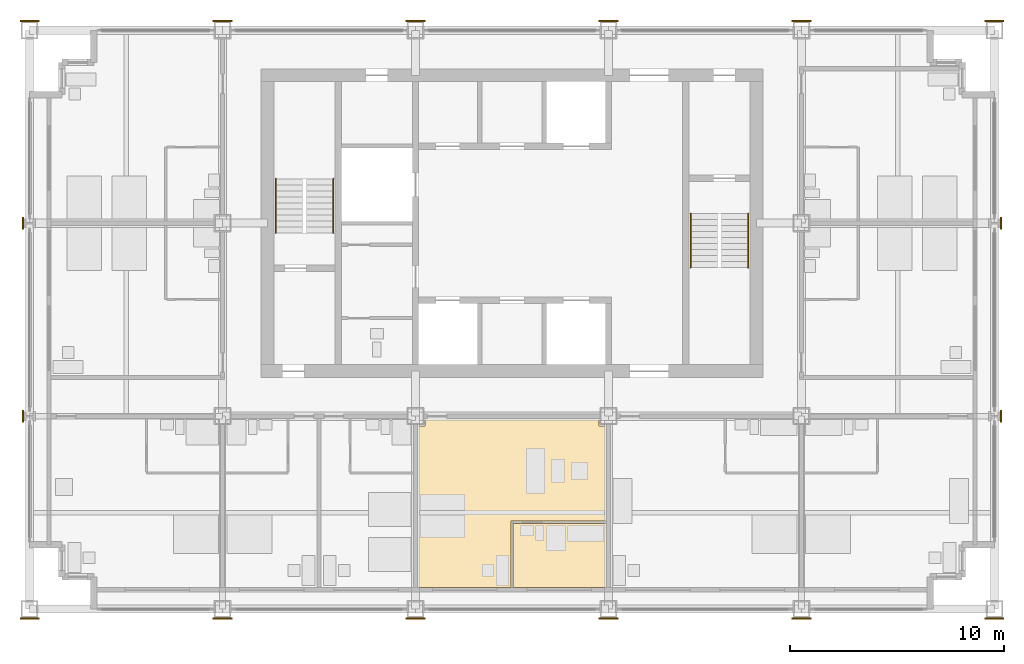
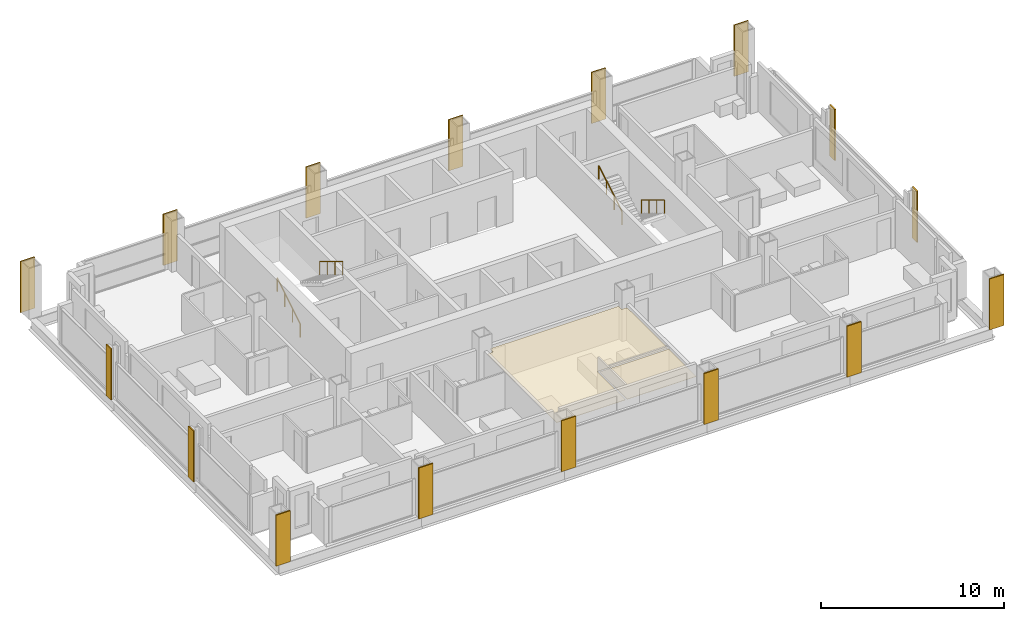
# One storey, part 11 of 13: 18 coverings, 4 railings.
"""IFC4 building model written with IfcOpenShell, lengths in metres."""

from ifc_helpers import new_model, si_unit, direction, frame, origin, origin_2d, place, context, subcontext, project, spatial, polyline, rectangle, circle, outline, extrude, material, layer, layer_set, type_object, element, save


model = new_model("IFC4")

# Units and contexts
model_context = context("Model", 3, precision=1e-05, world=origin(), true_north=direction((0.0, 1.0)))
body_context = subcontext(model_context, "Body", "Model", "MODEL_VIEW")
ifc_project = project(units=[si_unit("LENGTHUNIT", "METRE"), si_unit("AREAUNIT", "SQUARE_METRE"), si_unit("VOLUMEUNIT", "CUBIC_METRE"), si_unit("PLANEANGLEUNIT", "RADIAN"), si_unit("MASSUNIT", "GRAM", prefix="KILO")], contexts=[model_context])

# Site, building, storey
site_placement = place(None, origin())
site = spatial("IfcSite", under=ifc_project, at=site_placement, CompositionType="ELEMENT")
building_placement = place(site_placement, origin())
building = spatial("IfcBuilding", under=site, at=building_placement, Name="Loomwork Tower", CompositionType="ELEMENT")
storey_placement = place(building_placement, frame((0.0, 0.0, 191.0)))
storey = spatial("IfcBuildingStorey", under=building, at=storey_placement, Name="L52", CompositionType="ELEMENT", Elevation=191.0)

# Railings
ifc_material_1 = material(Name="Stainless steel handrail", Category="steel")
railing_type = type_object("IfcRailingType", Name="Handrail 900", PredefinedType="HANDRAIL", material=ifc_material_1)
railing_1_placement = place(storey_placement, frame((11.485107421875, 17.550048828125, 0.169921875)))
element("IfcRailing", 1, at=railing_1_placement, inside=storey, type_object=railing_type, Name="Stair A handrail flight 1 L52", PredefinedType="HANDRAIL", context=body_context, shape_type="SweptSolid", body=[
    extrude(circle(Radius=0.02392578125, at=origin_2d()), frame((0.0, 0.0, 0.8759765625), z_axis=(0.0, 0.85478489116, 0.518982456201), x_axis=(-1.0, 0.0, 0.0)), (0.0, 0.0, 1.0), 2.9482421875),
    extrude(circle(Radius=0.02099609375, at=origin_2d()), origin(), (0.0, 0.0, 1.0), 0.851806640625),
    extrude(circle(Radius=0.02099609375, at=origin_2d()), frame((0.0, 0.840087890625, 0.510009765625)), (0.0, 0.0, 1.0), 0.851806640625),
    extrude(circle(Radius=0.02099609375, at=origin_2d()), frame((0.0, 1.679931640625, 1.02001953125)), (0.0, 0.0, 1.0), 0.851806640625),
    extrude(circle(Radius=0.02099609375, at=origin_2d()), frame((0.0, 2.52001953125, 1.530029296875)), (0.0, 0.0, 1.0), 0.851806640625),
])
railing_2_placement = place(storey_placement, frame((14.1650390625, 20.070068359375, 1.8701171875)))
element("IfcRailing", 2, at=railing_2_placement, inside=storey, type_object=railing_type, Name="Stair A handrail flight 2 L52", PredefinedType="HANDRAIL", context=body_context, shape_type="SweptSolid", body=[
    extrude(circle(Radius=0.02392578125, at=origin_2d()), frame((0.0, 0.0, 0.8759765625), z_axis=(0.0, -0.854821627497, 0.518921945155), x_axis=(1.0, 0.0, 0.0)), (0.0, 0.0, 1.0), 2.947998046875),
    extrude(circle(Radius=0.02099609375, at=origin_2d()), origin(), (0.0, 0.0, 1.0), 0.851806640625),
    extrude(circle(Radius=0.02099609375, at=origin_2d()), frame((0.0, -0.840087890625, 0.510009765625)), (0.0, 0.0, 1.0), 0.851806640625),
    extrude(circle(Radius=0.02099609375, at=origin_2d()), frame((0.0, -1.679931640625, 1.019775390625)), (0.0, 0.0, 1.0), 0.851806640625),
    extrude(circle(Radius=0.02099609375, at=origin_2d()), frame((0.0, -2.52001953125, 1.52978515625)), (0.0, 0.0, 1.0), 0.851806640625),
])
railing_3_placement = place(storey_placement, frame((33.514892578125, 18.449951171875, 0.169921875)))
element("IfcRailing", 3, at=railing_3_placement, inside=storey, type_object=railing_type, Name="Stair B handrail flight 1 L52", PredefinedType="HANDRAIL", context=body_context, shape_type="SweptSolid", body=[
    extrude(circle(Radius=0.02392578125, at=origin_2d()), frame((0.0, 0.0, 0.8759765625), z_axis=(0.0, -0.85478489116, 0.518982456201), x_axis=(1.0, 0.0, 0.0)), (0.0, 0.0, 1.0), 2.9482421875),
    extrude(circle(Radius=0.02099609375, at=origin_2d()), origin(), (0.0, 0.0, 1.0), 0.851806640625),
    extrude(circle(Radius=0.02099609375, at=origin_2d()), frame((0.0, -0.840087890625, 0.510009765625)), (0.0, 0.0, 1.0), 0.851806640625),
    extrude(circle(Radius=0.02099609375, at=origin_2d()), frame((0.0, -1.679931640625, 1.02001953125)), (0.0, 0.0, 1.0), 0.851806640625),
    extrude(circle(Radius=0.02099609375, at=origin_2d()), frame((0.0, -2.52001953125, 1.530029296875)), (0.0, 0.0, 1.0), 0.851806640625),
])
railing_4_placement = place(storey_placement, frame((30.8349609375, 15.929931640625, 1.8701171875)))
element("IfcRailing", 4, at=railing_4_placement, inside=storey, type_object=railing_type, Name="Stair B handrail flight 2 L52", PredefinedType="HANDRAIL", context=body_context, shape_type="SweptSolid", body=[
    extrude(circle(Radius=0.02392578125, at=origin_2d()), frame((0.0, 0.0, 0.8759765625), z_axis=(0.0, 0.854821627497, 0.518921945155), x_axis=(-1.0, 0.0, 0.0)), (0.0, 0.0, 1.0), 2.947998046875),
    extrude(circle(Radius=0.02099609375, at=origin_2d()), origin(), (0.0, 0.0, 1.0), 0.851806640625),
    extrude(circle(Radius=0.02099609375, at=origin_2d()), frame((0.0, 0.840087890625, 0.510009765625)), (0.0, 0.0, 1.0), 0.851806640625),
    extrude(circle(Radius=0.02099609375, at=origin_2d()), frame((0.0, 1.679931640625, 1.019775390625)), (0.0, 0.0, 1.0), 0.851806640625),
    extrude(circle(Radius=0.02099609375, at=origin_2d()), frame((0.0, 2.52001953125, 1.52978515625)), (0.0, 0.0, 1.0), 0.851806640625),
])

# Coverings
ifc_material_2 = material(Name="Limestone", Category="masonry")
ifc_layer_1 = layer(ifc_material_2, 0.080078125)
ifc_layer_set_1 = layer_set([ifc_layer_1], Name="Limestone pier facing 80")
covering_type_1 = type_object("IfcCoveringType", Name="Limestone pier facing 80", PredefinedType="CLADDING", material=ifc_layer_set_1)
covering_1_placement = place(storey_placement, frame((0.0, -0.43994140625, 0.0), z_axis=(0.0, 0.0, 1.0), x_axis=(1.0, 0.0, 0.0)))
element("IfcCovering", 5, at=covering_1_placement, inside=storey, type_object=covering_type_1, Name="Pier facing D/2 L52", PredefinedType="CLADDING", context=body_context, shape_type="SweptSolid", body=[
    extrude(rectangle(XDim=0.89990234375, YDim=0.080078125, at=origin_2d()), origin(), (0.0, 0.0, 1.0), 3.39990234375),
])
for number, where, z_axis, x_axis, name in (
    (6, (-0.314208984375, 9.0, 0.0), (0.0, 0.0, 1.0), (1.0, 0.0, 0.0), "Pier facing E/2 L52"),
    (7, (-0.314208984375, 18.0, 0.0), (0.0, 0.0, 1.0), (1.0, 0.0, 0.0), "Pier facing F/2 L52"),
):
    element("IfcCovering", number, at=place(storey_placement, frame(where, z_axis=z_axis, x_axis=x_axis)), inside=storey, type_object=covering_type_1, Name=name, PredefinedType="CLADDING", context=body_context, shape_type="SweptSolid", body=[
        extrude(rectangle(XDim=0.080078125, YDim=0.549560546875, at=origin_2d()), origin(), (0.0, 0.0, 1.0), 3.39990234375),
    ])
for number, where, z_axis, x_axis, name in (
    (8, (0.0, 27.43994140625, 0.0), (0.0, 0.0, 1.0), (1.0, 0.0, 0.0), "Pier facing G/2 L52"),
    (9, (9.0, -0.43994140625, 0.0), (0.0, 0.0, 1.0), (1.0, 0.0, 0.0), "Pier facing D/3 L52"),
    (10, (9.0, 27.43994140625, 0.0), (0.0, 0.0, 1.0), (1.0, 0.0, 0.0), "Pier facing G/3 L52"),
    (11, (18.0, -0.43994140625, 0.0), (0.0, 0.0, 1.0), (1.0, 0.0, 0.0), "Pier facing D/4 L52"),
    (12, (18.0, 27.43994140625, 0.0), (0.0, 0.0, 1.0), (1.0, 0.0, 0.0), "Pier facing G/4 L52"),
    (13, (27.0, -0.43994140625, 0.0), (0.0, 0.0, 1.0), (1.0, 0.0, 0.0), "Pier facing D/5 L52"),
    (14, (27.0, 27.43994140625, 0.0), (0.0, 0.0, 1.0), (1.0, 0.0, 0.0), "Pier facing G/5 L52"),
    (15, (36.0, -0.43994140625, 0.0), (0.0, 0.0, 1.0), (1.0, 0.0, 0.0), "Pier facing D/6 L52"),
    (16, (36.0, 27.43994140625, 0.0), (0.0, 0.0, 1.0), (1.0, 0.0, 0.0), "Pier facing G/6 L52"),
    (17, (45.0, -0.43994140625, 0.0), (0.0, 0.0, 1.0), (1.0, 0.0, 0.0), "Pier facing D/7 L52"),
):
    element("IfcCovering", number, at=place(storey_placement, frame(where, z_axis=z_axis, x_axis=x_axis)), inside=storey, type_object=covering_type_1, Name=name, PredefinedType="CLADDING", context=body_context, shape_type="SweptSolid", body=[
        extrude(rectangle(XDim=0.89990234375, YDim=0.080078125, at=origin_2d()), origin(), (0.0, 0.0, 1.0), 3.39990234375),
    ])
for number, where, z_axis, x_axis, name in (
    (18, (45.314208984375, 9.0, 0.0), (0.0, 0.0, 1.0), (1.0, 0.0, 0.0), "Pier facing E/7 L52"),
    (19, (45.314208984375, 18.0, 0.0), (0.0, 0.0, 1.0), (1.0, 0.0, 0.0), "Pier facing F/7 L52"),
):
    element("IfcCovering", number, at=place(storey_placement, frame(where, z_axis=z_axis, x_axis=x_axis)), inside=storey, type_object=covering_type_1, Name=name, PredefinedType="CLADDING", context=body_context, shape_type="SweptSolid", body=[
        extrude(rectangle(XDim=0.080078125, YDim=0.549560546875, at=origin_2d()), origin(), (0.0, 0.0, 1.0), 3.39990234375),
    ])
covering_2_placement = place(storey_placement, frame((45.0, 27.43994140625, 0.0), z_axis=(0.0, 0.0, 1.0), x_axis=(1.0, 0.0, 0.0)))
element("IfcCovering", 20, at=covering_2_placement, inside=storey, type_object=covering_type_1, Name="Pier facing G/7 L52", PredefinedType="CLADDING", context=body_context, shape_type="SweptSolid", body=[
    extrude(rectangle(XDim=0.89990234375, YDim=0.080078125, at=origin_2d()), origin(), (0.0, 0.0, 1.0), 3.39990234375),
])
ifc_material_3 = material(Name="Mineral fibre acoustic tile on suspension grid")
ifc_layer_2 = layer(ifc_material_3, 0.02490234375)
ifc_layer_set_2 = layer_set([ifc_layer_2], Name="Suspended acoustic ceiling")
covering_type_2 = type_object("IfcCoveringType", Name="Suspended acoustic ceiling", PredefinedType="CEILING", material=ifc_layer_set_2)
covering_3_placement = place(storey_placement, frame((0.0, 0.0, 2.175048828125)))
element("IfcCovering", 21, at=covering_3_placement, inside=storey, type_object=covering_type_2, Name="Ceiling Spa bathroom L52", PredefinedType="CEILING", context=body_context, shape_type="SweptSolid", body=[
    extrude(outline(polyline([(26.89990234375, 4.0), (26.89990234375, 1.0), (22.550048828125, 1.0), (22.550048828125, 4.0), (26.89990234375, 4.0)])), origin(), (0.0, 0.0, 1.0), 0.02490234375),
])
covering_4_placement = place(storey_placement, frame((0.0, 0.0, 2.175048828125)))
element("IfcCovering", 22, at=covering_4_placement, inside=storey, type_object=covering_type_2, Name="Ceiling Spa suite L52", PredefinedType="CEILING", context=body_context, shape_type="SweptSolid", body=[
    extrude(outline(polyline([(26.550048828125, 8.89990234375), (26.550048828125, 8.550048828125), (26.89990234375, 8.550048828125), (26.89990234375, 4.10009765625), (22.449951171875, 4.10009765625), (22.449951171875, 1.0), (18.10009765625, 1.0), (18.10009765625, 8.550048828125), (18.449951171875, 8.550048828125), (18.449951171875, 8.89990234375), (26.550048828125, 8.89990234375)])), origin(), (0.0, 0.0, 1.0), 0.02490234375),
])

save(model, "model.ifc")
